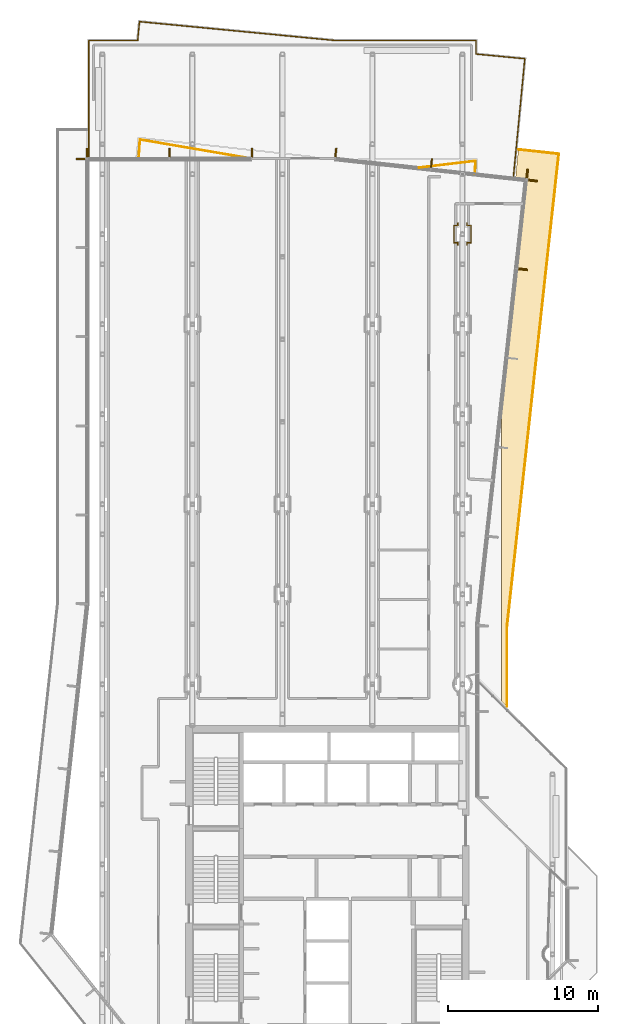
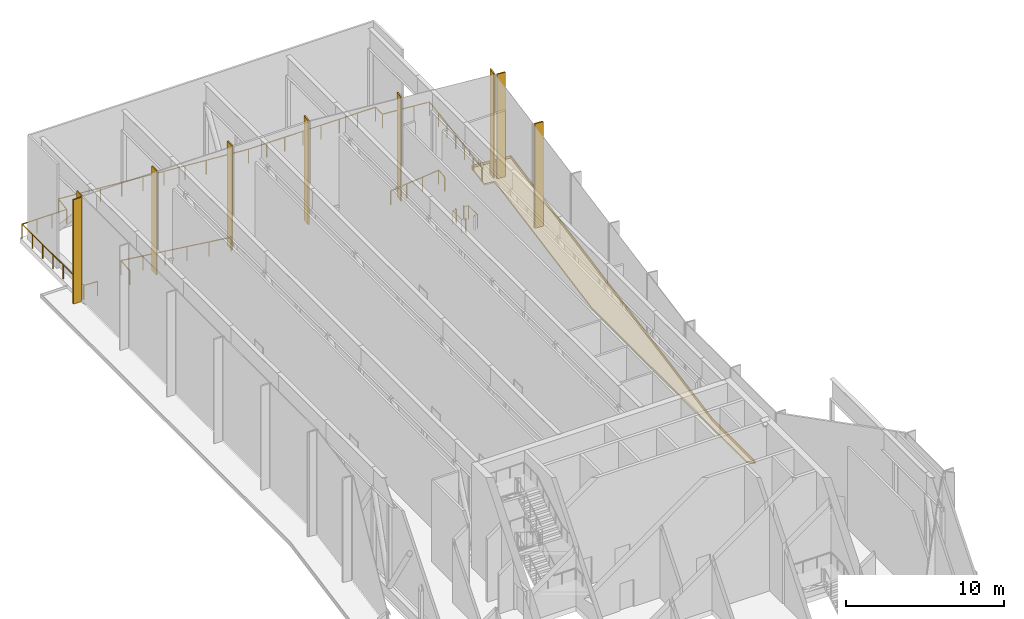
# One storey, part 21 of 21: 11 coverings, 5 railings.
"""IFC4 building model written with IfcOpenShell, lengths in metres."""

from ifc_helpers import new_model, si_unit, direction, frame, origin, origin_2d, place, context, subcontext, project, spatial, polyline, rectangle, circle, outline, extrude, material, layer, layer_set, type_object, element, save


model = new_model("IFC4")

# Units and contexts
model_context = context("Model", 3, precision=1e-05, world=origin(), true_north=direction((0.0, 1.0)))
body_context = subcontext(model_context, "Body", "Model", "MODEL_VIEW")
ifc_project = project(units=[si_unit("LENGTHUNIT", "METRE"), si_unit("AREAUNIT", "SQUARE_METRE"), si_unit("VOLUMEUNIT", "CUBIC_METRE"), si_unit("PLANEANGLEUNIT", "RADIAN"), si_unit("MASSUNIT", "GRAM", prefix="KILO")], contexts=[model_context])

# Site, building, storey
site_placement = place(None, origin())
site = spatial("IfcSite", under=ifc_project, at=site_placement, CompositionType="ELEMENT")
building_placement = place(site_placement, origin())
building = spatial("IfcBuilding", under=site, at=building_placement, Name="Welwitschia Terrace Campus", CompositionType="ELEMENT")
storey_placement = place(building_placement, frame((0.0, 0.0, 255.800048828125)))
storey = spatial("IfcBuildingStorey", under=building, at=storey_placement, Name="L57", CompositionType="ELEMENT", Elevation=255.800048828125)

# Coverings
ifc_material_1 = material(Name="Bronze anodised aluminium", Category="aluminium")
ifc_layer_1 = layer(ifc_material_1, 0.10009765625)
ifc_layer_set_1 = layer_set([ifc_layer_1], Name="Bronze anodised aluminium")
covering_type_1 = type_object("IfcCoveringType", Name="Bronze fin 100x600", PredefinedType="USERDEFINED", material=ifc_layer_set_1)
for number, where, z_axis, x_axis, name in (
    (1, (28.031982421875, 55.659912109375, 0.0), (0.0, 0.0, 1.0), (0.108866874852, 0.994056338222, 0.0), "Fin L57.4.4"),
    (2, (28.679931640625, 61.574951171875, 0.0), (0.0, 0.0, 1.0), (0.108866874852, 0.994056338222, 0.0), "Fin L57.4.5"),
    (3, (28.31689453125, 62.027099609375, 0.0), (0.0, 0.0, 1.0), (-0.994056338222, 0.108866874852, 0.0), "Fin L57.5.0"),
    (4, (21.9375, 62.725830078125, 0.0), (0.0, 0.0, 1.0), (-0.994056338222, 0.108866874852, 0.0), "Fin L57.5.1"),
    (5, (15.558349609375, 63.424560546875, 0.0), (0.0, 0.0, 1.0), (-0.994056338222, 0.108866874852, 0.0), "Fin L57.5.2"),
    (6, (9.974853515625, 63.429931640625, 0.0), (0.0, 0.0, 1.0), (-1.0, 0.0, 0.0), "Fin L57.6.1"),
    (7, (4.46240234375, 63.429931640625, 0.0), (0.0, 0.0, 1.0), (-1.0, 0.0, 0.0), "Fin L57.6.2"),
    (8, (-1.02001953125, 63.429931640625, 0.0), (0.0, 0.0, 1.0), (-1.0, 0.0, 0.0), "Fin L57.6.3"),
    (9, (-1.429931640625, 63.02001953125, 0.0), (0.0, 0.0, 1.0), (0.0, -1.0, 0.0), "Fin L57.7.0"),
):
    element("IfcCovering", number, at=place(storey_placement, frame(where, z_axis=z_axis, x_axis=x_axis)), inside=storey, type_object=covering_type_1, Name=name, ObjectType="FIN", PredefinedType="USERDEFINED", context=body_context, shape_type="SweptSolid", body=[
        extrude(rectangle(XDim=0.10009765625, YDim=0.60009765625, at=origin_2d()), origin(), (0.0, 0.0, 1.0), 8.050048828125),
    ])

# Railings
ifc_material_2 = material(Name="Stainless steel grade 316", Category="steel")
railing_type = type_object("IfcRailingType", Name="Guard 1100", PredefinedType="GUARDRAIL", material=ifc_material_2)
railing_1_placement = place(storey_placement, frame((0.06494140625, 63.050048828125, 0.0)))
element("IfcRailing", 10, at=railing_1_placement, inside=storey, type_object=railing_type, Name="Guard terrace L57:1:0.0", PredefinedType="GUARDRAIL", context=body_context, shape_type="SweptSolid", body=[
    extrude(circle(Radius=0.02392578125, at=origin_2d()), frame((0.0, 0.0, 1.076171875), z_axis=(-0.99865733243, 0.051802822153, 0.0), x_axis=(-0.051802822153, -0.99865733243, 0.0)), (0.0, 0.0, 1.0), 0.966064453125),
    extrude(circle(Radius=0.02392578125, at=origin_2d()), frame((-0.96484375, 0.050048828125, 1.076171875), z_axis=(0.0, 1.0, 0.0), x_axis=(-1.0, 0.0, 0.0)), (0.0, 0.0, 1.0), 7.7998046875),
    extrude(circle(Radius=0.02392578125, at=origin_2d()), frame((-0.96484375, 7.849853515625, 1.076171875), z_axis=(1.0, 0.0, 0.0), x_axis=(0.0, 1.0, 0.0)), (0.0, 0.0, 1.0), 3.254150390625),
    extrude(circle(Radius=0.02392578125, at=origin_2d()), frame((2.289306640625, 7.849853515625, 1.076171875), z_axis=(0.095931757257, 0.995387913303, 0.0), x_axis=(-0.995387913303, 0.095931757257, 0.0)), (0.0, 0.0, 1.0), 1.2724609375),
    extrude(circle(Radius=0.02392578125, at=origin_2d()), frame((2.411376953125, 9.116455078125, 1.076171875), z_axis=(0.995396293397, -0.095844765593, 0.0), x_axis=(0.095844765593, 0.995396293397, 0.0)), (0.0, 0.0, 1.0), 13.215087890625),
    extrude(circle(Radius=0.02392578125, at=origin_2d()), frame((15.565673828125, 7.849853515625, 1.076171875), z_axis=(1.0, 0.0, 0.0), x_axis=(0.0, 1.0, 0.0)), (0.0, 0.0, 1.0), 9.269287109375),
    extrude(circle(Radius=0.02392578125, at=origin_2d()), frame((24.8349609375, 7.849853515625, 1.076171875), z_axis=(0.0, -1.0, 0.0), x_axis=(1.0, 0.0, 0.0)), (0.0, 0.0, 1.0), 0.892333984375),
    extrude(circle(Radius=0.02392578125, at=origin_2d()), frame((24.8349609375, 6.95751953125, 1.076171875), z_axis=(0.995394666401, -0.09586166127, 0.0), x_axis=(0.09586166127, 0.995394666401, 0.0)), (0.0, 0.0, 1.0), 3.272705078125),
    extrude(circle(Radius=0.02392578125, at=origin_2d()), frame((28.092529296875, 6.643798828125, 1.076171875), z_axis=(-0.09595186892, -0.995385974811, 0.0), x_axis=(0.995385974811, -0.09595186892, 0.0)), (0.0, 0.0, 1.0), 7.984375),
    extrude(circle(Radius=0.02099609375, at=origin_2d()), origin(), (0.0, 0.0, 1.0), 1.052001953125),
    extrude(circle(Radius=0.02099609375, at=origin_2d()), frame((-0.96484375, 0.050048828125, 0.0)), (0.0, 0.0, 1.0), 1.052001953125),
    extrude(circle(Radius=0.02099609375, at=origin_2d()), frame((-0.96484375, 1.35009765625, 0.0)), (0.0, 0.0, 1.0), 1.052001953125),
    extrude(circle(Radius=0.02099609375, at=origin_2d()), frame((-0.96484375, 2.64990234375, 0.0)), (0.0, 0.0, 1.0), 1.052001953125),
    extrude(circle(Radius=0.02099609375, at=origin_2d()), frame((-0.96484375, 3.949951171875, 0.0)), (0.0, 0.0, 1.0), 1.052001953125),
    extrude(circle(Radius=0.02099609375, at=origin_2d()), frame((-0.96484375, 5.25, 0.0)), (0.0, 0.0, 1.0), 1.052001953125),
    extrude(circle(Radius=0.02099609375, at=origin_2d()), frame((-0.96484375, 6.5498046875, 0.0)), (0.0, 0.0, 1.0), 1.052001953125),
    extrude(circle(Radius=0.02099609375, at=origin_2d()), frame((-0.96484375, 7.849853515625, 0.0)), (0.0, 0.0, 1.0), 1.052001953125),
    extrude(circle(Radius=0.02099609375, at=origin_2d()), frame((0.119873046875, 7.849853515625, 0.0)), (0.0, 0.0, 1.0), 1.052001953125),
    extrude(circle(Radius=0.02099609375, at=origin_2d()), frame((1.20458984375, 7.849853515625, 0.0)), (0.0, 0.0, 1.0), 1.052001953125),
    extrude(circle(Radius=0.02099609375, at=origin_2d()), frame((2.289306640625, 7.849853515625, 0.0)), (0.0, 0.0, 1.0), 1.052001953125),
    extrude(circle(Radius=0.02099609375, at=origin_2d()), frame((2.411376953125, 9.116455078125, 0.0)), (0.0, 0.0, 1.0), 1.052001953125),
    extrude(circle(Radius=0.02099609375, at=origin_2d()), frame((3.873046875, 8.975830078125, 0.0)), (0.0, 0.0, 1.0), 1.052001953125),
    extrude(circle(Radius=0.02099609375, at=origin_2d()), frame((5.33447265625, 8.8349609375, 0.0)), (0.0, 0.0, 1.0), 1.052001953125),
    extrude(circle(Radius=0.02099609375, at=origin_2d()), frame((6.796142578125, 8.6943359375, 0.0)), (0.0, 0.0, 1.0), 1.052001953125),
    extrude(circle(Radius=0.02099609375, at=origin_2d()), frame((8.2578125, 8.553466796875, 0.0)), (0.0, 0.0, 1.0), 1.052001953125),
    extrude(circle(Radius=0.02099609375, at=origin_2d()), frame((9.71923828125, 8.412841796875, 0.0)), (0.0, 0.0, 1.0), 1.052001953125),
    extrude(circle(Radius=0.02099609375, at=origin_2d()), frame((11.180908203125, 8.27197265625, 0.0)), (0.0, 0.0, 1.0), 1.052001953125),
    extrude(circle(Radius=0.02099609375, at=origin_2d()), frame((12.642578125, 8.13134765625, 0.0)), (0.0, 0.0, 1.0), 1.052001953125),
    extrude(circle(Radius=0.02099609375, at=origin_2d()), frame((14.10400390625, 7.990478515625, 0.0)), (0.0, 0.0, 1.0), 1.052001953125),
    extrude(circle(Radius=0.02099609375, at=origin_2d()), frame((15.565673828125, 7.849853515625, 0.0)), (0.0, 0.0, 1.0), 1.052001953125),
    extrude(circle(Radius=0.02099609375, at=origin_2d()), frame((16.889892578125, 7.849853515625, 0.0)), (0.0, 0.0, 1.0), 1.052001953125),
    extrude(circle(Radius=0.02099609375, at=origin_2d()), frame((18.214111328125, 7.849853515625, 0.0)), (0.0, 0.0, 1.0), 1.052001953125),
    extrude(circle(Radius=0.02099609375, at=origin_2d()), frame((19.538330078125, 7.849853515625, 0.0)), (0.0, 0.0, 1.0), 1.052001953125),
    extrude(circle(Radius=0.02099609375, at=origin_2d()), frame((20.8623046875, 7.849853515625, 0.0)), (0.0, 0.0, 1.0), 1.052001953125),
    extrude(circle(Radius=0.02099609375, at=origin_2d()), frame((22.1865234375, 7.849853515625, 0.0)), (0.0, 0.0, 1.0), 1.052001953125),
    extrude(circle(Radius=0.02099609375, at=origin_2d()), frame((23.5107421875, 7.849853515625, 0.0)), (0.0, 0.0, 1.0), 1.052001953125),
    extrude(circle(Radius=0.02099609375, at=origin_2d()), frame((24.8349609375, 7.849853515625, 0.0)), (0.0, 0.0, 1.0), 1.052001953125),
    extrude(circle(Radius=0.02099609375, at=origin_2d()), frame((24.8349609375, 6.95751953125, 0.0)), (0.0, 0.0, 1.0), 1.052001953125),
    extrude(circle(Radius=0.02099609375, at=origin_2d()), frame((25.9208984375, 6.85302734375, 0.0)), (0.0, 0.0, 1.0), 1.052001953125),
    extrude(circle(Radius=0.02099609375, at=origin_2d()), frame((27.006591796875, 6.748291015625, 0.0)), (0.0, 0.0, 1.0), 1.052001953125),
    extrude(circle(Radius=0.02099609375, at=origin_2d()), frame((28.092529296875, 6.643798828125, 0.0)), (0.0, 0.0, 1.0), 1.052001953125),
    extrude(circle(Radius=0.02099609375, at=origin_2d()), frame((27.96484375, 5.3193359375, 0.0)), (0.0, 0.0, 1.0), 1.052001953125),
    extrude(circle(Radius=0.02099609375, at=origin_2d()), frame((27.837158203125, 3.99462890625, 0.0)), (0.0, 0.0, 1.0), 1.052001953125),
    extrude(circle(Radius=0.02099609375, at=origin_2d()), frame((27.70947265625, 2.669921875, 0.0)), (0.0, 0.0, 1.0), 1.052001953125),
    extrude(circle(Radius=0.02099609375, at=origin_2d()), frame((27.581787109375, 1.345458984375, 0.0)), (0.0, 0.0, 1.0), 1.052001953125),
    extrude(circle(Radius=0.02099609375, at=origin_2d()), frame((27.4541015625, 0.02099609375, 0.0)), (0.0, 0.0, 1.0), 1.052001953125),
    extrude(circle(Radius=0.02099609375, at=origin_2d()), frame((27.326416015625, -1.3037109375, 0.0)), (0.0, 0.0, 1.0), 1.052001953125),
])
railing_2_placement = place(storey_placement, frame((2.42333984375, 63.050048828125, 0.0)))
element("IfcRailing", 11, at=railing_2_placement, inside=storey, type_object=railing_type, Name="Guard floor edge L57.0", PredefinedType="GUARDRAIL", context=body_context, shape_type="SweptSolid", body=[
    extrude(circle(Radius=0.02392578125, at=origin_2d()), frame((0.0, 0.0, 1.076171875), z_axis=(0.069945457692, 0.997550817226, 0.0), x_axis=(-0.997550817226, 0.069945457692, 0.0)), (0.0, 0.0, 1.0), 1.253173828125),
    extrude(circle(Radius=0.02392578125, at=origin_2d()), frame((0.087646484375, 1.25, 1.076171875), z_axis=(0.985676119584, -0.168649302642, 0.0), x_axis=(0.168649302642, 0.985676119584, 0.0)), (0.0, 0.0, 1.0), 7.411865234375),
    extrude(circle(Radius=0.02099609375, at=origin_2d()), origin(), (0.0, 0.0, 1.0), 1.052001953125),
    extrude(circle(Radius=0.02099609375, at=origin_2d()), frame((0.087646484375, 1.25, 0.0)), (0.0, 0.0, 1.0), 1.052001953125),
    extrude(circle(Radius=0.02099609375, at=origin_2d()), frame((1.548828125, 1.0, 0.0)), (0.0, 0.0, 1.0), 1.052001953125),
    extrude(circle(Radius=0.02099609375, at=origin_2d()), frame((3.010009765625, 0.75, 0.0)), (0.0, 0.0, 1.0), 1.052001953125),
    extrude(circle(Radius=0.02099609375, at=origin_2d()), frame((4.470947265625, 0.5, 0.0)), (0.0, 0.0, 1.0), 1.052001953125),
    extrude(circle(Radius=0.02099609375, at=origin_2d()), frame((5.93212890625, 0.25, 0.0)), (0.0, 0.0, 1.0), 1.052001953125),
    extrude(circle(Radius=0.02099609375, at=origin_2d()), frame((7.393310546875, 0.0, 0.0)), (0.0, 0.0, 1.0), 1.052001953125),
])
railing_3_placement = place(storey_placement, frame((21.1240234375, 62.4326171875, 0.0)))
element("IfcRailing", 12, at=railing_3_placement, inside=storey, type_object=railing_type, Name="Guard floor edge L57.3", PredefinedType="GUARDRAIL", context=body_context, shape_type="SweptSolid", body=[
    extrude(circle(Radius=0.02392578125, at=origin_2d()), frame((0.0, 0.0, 1.076171875), z_axis=(0.992983943968, 0.118249258018, 0.0), x_axis=(-0.118249258018, 0.992983943968, 0.0)), (0.0, 0.0, 1.0), 3.782470703125),
    extrude(circle(Radius=0.02392578125, at=origin_2d()), frame((3.755859375, 0.447265625, 1.076171875), z_axis=(-0.057131140631, -0.998366682522, 0.0), x_axis=(0.998366682522, -0.057131140631, 0.0)), (0.0, 0.0, 1.0), 0.854736328125),
    extrude(circle(Radius=0.02099609375, at=origin_2d()), origin(), (0.0, 0.0, 1.0), 1.052001953125),
    extrude(circle(Radius=0.02099609375, at=origin_2d()), frame((1.251953125, 0.149169921875, 0.0)), (0.0, 0.0, 1.0), 1.052001953125),
    extrude(circle(Radius=0.02099609375, at=origin_2d()), frame((2.50390625, 0.298095703125, 0.0)), (0.0, 0.0, 1.0), 1.052001953125),
    extrude(circle(Radius=0.02099609375, at=origin_2d()), frame((3.755859375, 0.447265625, 0.0)), (0.0, 0.0, 1.0), 1.052001953125),
    extrude(circle(Radius=0.02099609375, at=origin_2d()), frame((3.70703125, -0.406005859375, 0.0)), (0.0, 0.0, 1.0), 1.052001953125),
])
railing_4_placement = place(storey_placement, frame((23.695068359375, 58.72998046875, 0.0)))
element("IfcRailing", 13, at=railing_4_placement, inside=storey, type_object=railing_type, Name="Guard floor edge L57.14", PredefinedType="GUARDRAIL", context=body_context, shape_type="SweptSolid", body=[
    extrude(circle(Radius=0.02392578125, at=origin_2d()), frame((0.0, 0.0, 1.076171875), z_axis=(0.0, -1.0, 0.0), x_axis=(1.0, 0.0, 0.0)), (0.0, 0.0, 1.0), 0.159912109375),
    extrude(circle(Radius=0.02392578125, at=origin_2d()), frame((0.0, -0.159912109375, 1.076171875), z_axis=(-1.0, 0.0, 0.0), x_axis=(0.0, -1.0, 0.0)), (0.0, 0.0, 1.0), 0.26513671875),
    extrude(circle(Radius=0.02392578125, at=origin_2d()), frame((-0.26513671875, -0.159912109375, 1.076171875), z_axis=(0.0, -1.0, 0.0), x_axis=(1.0, 0.0, 0.0)), (0.0, 0.0, 1.0), 1.14013671875),
    extrude(circle(Radius=0.02392578125, at=origin_2d()), frame((-0.26513671875, -1.300048828125, 1.076171875), z_axis=(1.0, 0.0, 0.0), x_axis=(0.0, 1.0, 0.0)), (0.0, 0.0, 1.0), 0.26513671875),
    extrude(circle(Radius=0.02392578125, at=origin_2d()), frame((0.0, -1.300048828125, 1.076171875), z_axis=(0.0, -1.0, 0.0), x_axis=(1.0, 0.0, 0.0)), (0.0, 0.0, 1.0), 0.159912109375),
    extrude(circle(Radius=0.02099609375, at=origin_2d()), origin(), (0.0, 0.0, 1.0), 1.052001953125),
    extrude(circle(Radius=0.02099609375, at=origin_2d()), frame((0.0, -0.159912109375, 0.0)), (0.0, 0.0, 1.0), 1.052001953125),
    extrude(circle(Radius=0.02099609375, at=origin_2d()), frame((-0.26513671875, -0.159912109375, 0.0)), (0.0, 0.0, 1.0), 1.052001953125),
    extrude(circle(Radius=0.02099609375, at=origin_2d()), frame((-0.26513671875, -1.300048828125, 0.0)), (0.0, 0.0, 1.0), 1.052001953125),
    extrude(circle(Radius=0.02099609375, at=origin_2d()), frame((0.0, -1.300048828125, 0.0)), (0.0, 0.0, 1.0), 1.052001953125),
    extrude(circle(Radius=0.02099609375, at=origin_2d()), frame((0.0, -1.4599609375, 0.0)), (0.0, 0.0, 1.0), 1.052001953125),
])
railing_5_placement = place(storey_placement, frame((24.304931640625, 57.27001953125, 0.0)))
element("IfcRailing", 14, at=railing_5_placement, inside=storey, type_object=railing_type, Name="Guard floor edge L57.15", PredefinedType="GUARDRAIL", context=body_context, shape_type="SweptSolid", body=[
    extrude(circle(Radius=0.02392578125, at=origin_2d()), frame((0.0, 0.0, 1.076171875), z_axis=(0.0, 1.0, 0.0), x_axis=(-1.0, 0.0, 0.0)), (0.0, 0.0, 1.0), 0.159912109375),
    extrude(circle(Radius=0.02392578125, at=origin_2d()), frame((0.0, 0.159912109375, 1.076171875), z_axis=(1.0, 0.0, 0.0), x_axis=(0.0, 1.0, 0.0)), (0.0, 0.0, 1.0), 0.26513671875),
    extrude(circle(Radius=0.02392578125, at=origin_2d()), frame((0.26513671875, 0.159912109375, 1.076171875), z_axis=(0.0, 1.0, 0.0), x_axis=(-1.0, 0.0, 0.0)), (0.0, 0.0, 1.0), 1.14013671875),
    extrude(circle(Radius=0.02392578125, at=origin_2d()), frame((0.26513671875, 1.300048828125, 1.076171875), z_axis=(-1.0, 0.0, 0.0), x_axis=(0.0, -1.0, 0.0)), (0.0, 0.0, 1.0), 0.26513671875),
    extrude(circle(Radius=0.02392578125, at=origin_2d()), frame((0.0, 1.300048828125, 1.076171875), z_axis=(0.0, 1.0, 0.0), x_axis=(-1.0, 0.0, 0.0)), (0.0, 0.0, 1.0), 0.159912109375),
    extrude(circle(Radius=0.02099609375, at=origin_2d()), origin(), (0.0, 0.0, 1.0), 1.052001953125),
    extrude(circle(Radius=0.02099609375, at=origin_2d()), frame((0.0, 0.159912109375, 0.0)), (0.0, 0.0, 1.0), 1.052001953125),
    extrude(circle(Radius=0.02099609375, at=origin_2d()), frame((0.26513671875, 0.159912109375, 0.0)), (0.0, 0.0, 1.0), 1.052001953125),
    extrude(circle(Radius=0.02099609375, at=origin_2d()), frame((0.26513671875, 1.300048828125, 0.0)), (0.0, 0.0, 1.0), 1.052001953125),
    extrude(circle(Radius=0.02099609375, at=origin_2d()), frame((0.0, 1.300048828125, 0.0)), (0.0, 0.0, 1.0), 1.052001953125),
    extrude(circle(Radius=0.02099609375, at=origin_2d()), frame((0.0, 1.4599609375, 0.0)), (0.0, 0.0, 1.0), 1.052001953125),
])

# Coverings
ifc_material_3 = material(Name="Bronze anodised aluminium", Category="aluminium")
ifc_layer_2 = layer(ifc_material_3, 0.1201171875)
ifc_layer_set_2 = layer_set([ifc_layer_2], Name="Bronze anodised aluminium")
covering_type_2 = type_object("IfcCoveringType", Name="Sunshade band 2000", PredefinedType="USERDEFINED", material=ifc_layer_set_2)
covering_1_placement = place(storey_placement, frame((0.0, 0.0, -0.300048828125)))
element("IfcCovering", 15, at=covering_1_placement, inside=storey, type_object=covering_type_2, Name="SUNSHADE L57.SE0", ObjectType="SUNSHADE", PredefinedType="USERDEFINED", context=body_context, shape_type="SweptSolid", body=[
    extrude(outline(polyline([(27.0, 31.814697265625), (27.0, 26.48486328125), (26.58984375, 26.895263671875), (26.58984375, 46.43994140625), (28.250244140625, 61.601806640625), (27.53662109375, 61.68017578125), (27.728271484375, 63.6708984375), (30.4560546875, 63.372314453125), (27.0, 31.814697265625)])), origin(), (0.0, 0.0, 1.0), 0.1201171875),
])
ifc_material_4 = material(Name="Bronze anodised aluminium", Category="aluminium")
ifc_layer_3 = layer(ifc_material_4, 0.06005859375)
ifc_layer_set_3 = layer_set([ifc_layer_3], Name="Bronze anodised aluminium")
covering_type_3 = type_object("IfcCoveringType", Name="Sunshade lip 60", PredefinedType="USERDEFINED", material=ifc_layer_set_3)
covering_2_placement = place(storey_placement, frame((0.0, 0.0, -0.179931640625)))
element("IfcCovering", 16, at=covering_2_placement, inside=storey, type_object=covering_type_3, Name="SUNSHADE LIP L57.SE0.0", ObjectType="SUNSHADE", PredefinedType="USERDEFINED", context=body_context, shape_type="SweptSolid", body=[
    extrude(outline(polyline([(27.0, 26.48486328125), (26.93994140625, 26.544921875), (26.93994140625, 31.818115234375), (30.389892578125, 63.319091796875), (27.722412109375, 63.611328125), (27.728271484375, 63.6708984375), (30.4560546875, 63.372314453125), (27.0, 31.814697265625), (27.0, 26.48486328125)])), origin(), (0.0, 0.0, 1.0), 0.179931640625),
])

save(model, "model.ifc")
